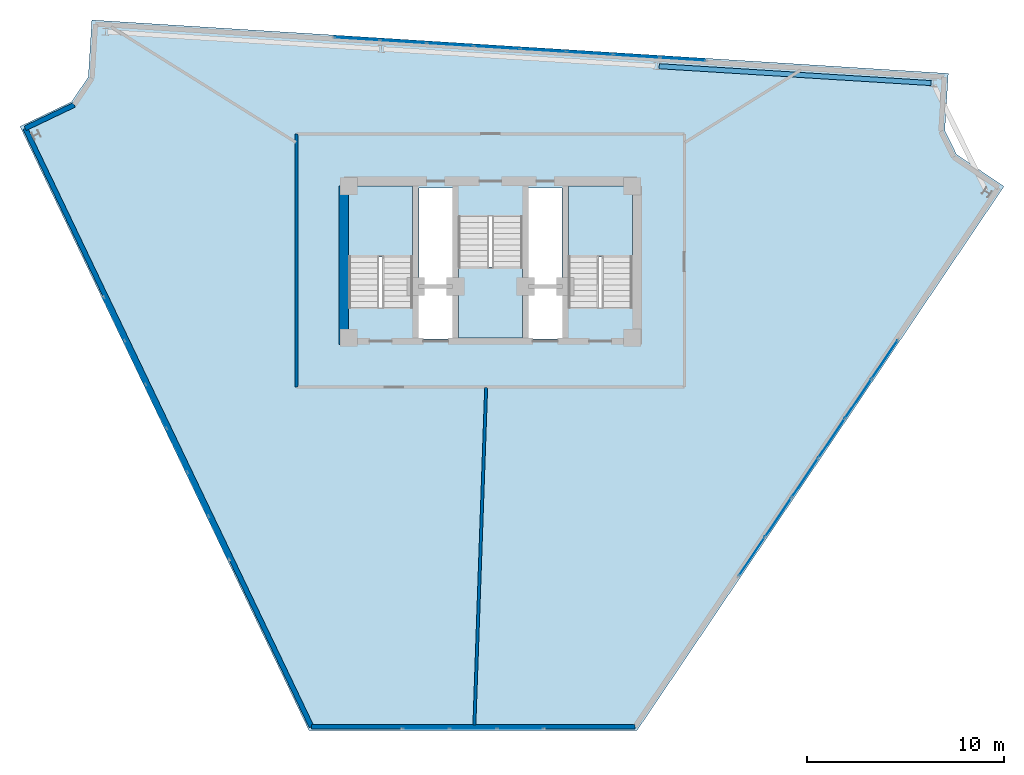
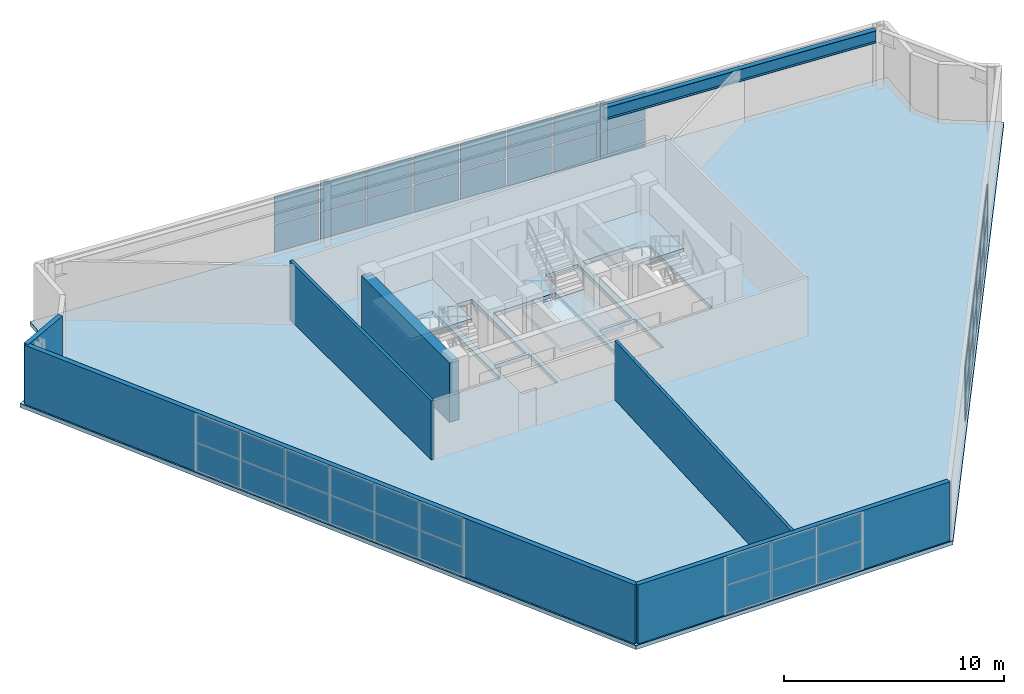
# One storey, part 6 of 8: 46 plates, 6 walls, 4 slabs, 1 beam, 7 elements without a shape of their own.
"""IFC4 building model written with IfcOpenShell, lengths in metres."""

from ifc_helpers import new_model, si_unit, direction, frame, frame_2d, origin, origin_2d, place, context, subcontext, project, spatial, polyline, rectangle, i_section, outline, extrude, material, layer, layer_set, material_profile, profile_set, type_object, element, aggregate, save


model = new_model("IFC4")

# Units and contexts
model_context = context("Model", 3, precision=1e-05, world=origin(), true_north=direction((0.0, 1.0)))
body_context = subcontext(model_context, "Body", "Model", "MODEL_VIEW")
ifc_project = project(units=[si_unit("LENGTHUNIT", "METRE"), si_unit("AREAUNIT", "SQUARE_METRE"), si_unit("VOLUMEUNIT", "CUBIC_METRE"), si_unit("PLANEANGLEUNIT", "RADIAN"), si_unit("MASSUNIT", "GRAM", prefix="KILO")], contexts=[model_context])

# Site, building, storey
site_placement = place(None, origin())
site = spatial("IfcSite", under=ifc_project, at=site_placement, CompositionType="ELEMENT")
building_placement = place(site_placement, origin())
building = spatial("IfcBuilding", under=site, at=building_placement, Name="Apsidion Concourse Tower", CompositionType="ELEMENT")
storey_placement = place(building_placement, frame((0.0, 0.0, 336.0)))
storey = spatial("IfcBuildingStorey", under=building, at=storey_placement, Name="L79", CompositionType="ELEMENT", Elevation=336.0)

# Beam
ifc_material_1 = material(Name="Structural steel ASTM A992 Grade 50", Category="steel")
ifc_material_profile = material_profile(ifc_material_1, i_section(OverallWidth=0.256103515625, OverallDepth=0.693115234375, WebThickness=0.014404296875, FlangeThickness=0.023681640625, at=origin_2d()), Name="W27X114")
ifc_profile_set = profile_set([ifc_material_profile], Name="Structural steel ASTM A992 Grade 50")
beam_type = type_object("IfcBeamType", Name="BM-SP-W27", PredefinedType="SPANDREL", material=ifc_profile_set)
beam_placement = place(storey_placement, frame((22.377197265625, 14.384765625, 2.93359375), z_axis=(-0.998077561187, 0.06197726886, 0.0), x_axis=(-0.06197726886, -0.998077561187, 0.0)))
element("IfcBeam", 1, at=beam_placement, inside=storey, type_object=beam_type, Name="L79 Crown Perimeter Spandrel Beam CSP-03", PredefinedType="SPANDREL", context=body_context, shape_type="SweptSolid", body=[
    extrude(i_section(OverallWidth=0.256103515625, OverallDepth=0.693115234375, WebThickness=0.014404296875, FlangeThickness=0.023681640625, at=origin_2d()), origin(), (0.0, 0.0, 1.0), 13.83447265625),
])

# Curtain wall, plates
ifc_material_2 = material(Name="Insulated laminated low-E glass", Category="glass")
ifc_layer_1 = layer(ifc_material_2, 0.239990234375)
ifc_layer_set_1 = layer_set([ifc_layer_1], Name="Insulated laminated low-E glass")
curtain_wall_type = type_object("IfcCurtainWallType", Name="CW-SYS-06", PredefinedType="NOTDEFINED", material=ifc_layer_set_1)
curtain_wall_1_placement = place(storey_placement, origin())
curtain_wall_1 = element("IfcCurtainWall", 2, at=curtain_wall_1_placement, inside=storey, type_object=curtain_wall_type, Name="L79 Slanted Crown Curtain Wall 4", PredefinedType="NOTDEFINED")
ifc_layer_2 = layer(ifc_material_2, 0.0400390625)
ifc_layer_set_2 = layer_set([ifc_layer_2], Name="Insulated laminated low-E glass")
plate_type = type_object("IfcPlateType", Name="CWP-GLZ-40", PredefinedType="CURTAIN_PANEL", material=ifc_layer_set_2)
plate_1_placement = place(storey_placement, frame((-6.7822265625, 16.6435546875, 0.06494140625), z_axis=(0.0, 0.0, 1.0), x_axis=(0.998060925381, -0.062244591953, 0.0)))
plate_1 = element("IfcPlate", 3, at=plate_1_placement, type_object=plate_type, Name="CW-06 panel 1.1", PredefinedType="CURTAIN_PANEL", context=body_context, shape_type="SweptSolid", body=[
    extrude(rectangle(XDim=2.27734375, YDim=0.0400390625, at=origin_2d()), origin(), (0.0, 0.0, 1.0), 1.517578125),
])
plate_2_placement = place(storey_placement, frame((-6.7822265625, 16.6435546875, 1.6474609375), z_axis=(0.0, 0.0, 1.0), x_axis=(0.998060925381, -0.062244591953, 0.0)))
plate_2 = element("IfcPlate", 4, at=plate_2_placement, type_object=plate_type, Name="CW-06 panel 1.2", PredefinedType="CURTAIN_PANEL", context=body_context, shape_type="SweptSolid", body=[
    extrude(rectangle(XDim=2.27734375, YDim=0.0400390625, at=origin_2d()), origin(), (0.0, 0.0, 1.0), 1.517578125),
])
plate_3_placement = place(storey_placement, frame((-4.42822265625, 16.496826171875, 0.06494140625), z_axis=(0.0, 0.0, 1.0), x_axis=(0.998060925381, -0.062244591953, 0.0)))
plate_3 = element("IfcPlate", 5, at=plate_3_placement, type_object=plate_type, Name="CW-06 panel 2.1", PredefinedType="CURTAIN_PANEL", context=body_context, shape_type="SweptSolid", body=[
    extrude(rectangle(XDim=2.309814453125, YDim=0.0400390625, at=origin_2d()), origin(), (0.0, 0.0, 1.0), 1.517578125),
])
plate_4_placement = place(storey_placement, frame((-4.42822265625, 16.496826171875, 1.6474609375), z_axis=(0.0, 0.0, 1.0), x_axis=(0.998060925381, -0.062244591953, 0.0)))
plate_4 = element("IfcPlate", 6, at=plate_4_placement, type_object=plate_type, Name="CW-06 panel 2.2", PredefinedType="CURTAIN_PANEL", context=body_context, shape_type="SweptSolid", body=[
    extrude(rectangle(XDim=2.309814453125, YDim=0.0400390625, at=origin_2d()), origin(), (0.0, 0.0, 1.0), 1.517578125),
])
plate_5_placement = place(storey_placement, frame((-2.057861328125, 16.34912109375, 0.06494140625), z_axis=(0.0, 0.0, 1.0), x_axis=(0.998060925381, -0.062244591953, 0.0)))
plate_5 = element("IfcPlate", 7, at=plate_5_placement, type_object=plate_type, Name="CW-06 panel 3.1", PredefinedType="CURTAIN_PANEL", context=body_context, shape_type="SweptSolid", body=[
    extrude(rectangle(XDim=2.309814453125, YDim=0.0400390625, at=origin_2d()), origin(), (0.0, 0.0, 1.0), 1.517578125),
])
plate_6_placement = place(storey_placement, frame((-2.057861328125, 16.34912109375, 1.6474609375), z_axis=(0.0, 0.0, 1.0), x_axis=(0.998060925381, -0.062244591953, 0.0)))
plate_6 = element("IfcPlate", 8, at=plate_6_placement, type_object=plate_type, Name="CW-06 panel 3.2", PredefinedType="CURTAIN_PANEL", context=body_context, shape_type="SweptSolid", body=[
    extrude(rectangle(XDim=2.309814453125, YDim=0.0400390625, at=origin_2d()), origin(), (0.0, 0.0, 1.0), 1.517578125),
])
plate_7_placement = place(storey_placement, frame((0.312255859375, 16.201171875, 0.06494140625), z_axis=(0.0, 0.0, 1.0), x_axis=(0.998060925381, -0.062244591953, 0.0)))
plate_7 = element("IfcPlate", 9, at=plate_7_placement, type_object=plate_type, Name="CW-06 panel 4.1", PredefinedType="CURTAIN_PANEL", context=body_context, shape_type="SweptSolid", body=[
    extrude(rectangle(XDim=2.309814453125, YDim=0.0400390625, at=origin_2d()), origin(), (0.0, 0.0, 1.0), 1.517578125),
])
plate_8_placement = place(storey_placement, frame((0.312255859375, 16.201171875, 1.6474609375), z_axis=(0.0, 0.0, 1.0), x_axis=(0.998060925381, -0.062244591953, 0.0)))
plate_8 = element("IfcPlate", 10, at=plate_8_placement, type_object=plate_type, Name="CW-06 panel 4.2", PredefinedType="CURTAIN_PANEL", context=body_context, shape_type="SweptSolid", body=[
    extrude(rectangle(XDim=2.309814453125, YDim=0.0400390625, at=origin_2d()), origin(), (0.0, 0.0, 1.0), 1.517578125),
])
plate_9_placement = place(storey_placement, frame((2.6826171875, 16.053466796875, 0.06494140625), z_axis=(0.0, 0.0, 1.0), x_axis=(0.998060925381, -0.062244591953, 0.0)))
plate_9 = element("IfcPlate", 11, at=plate_9_placement, type_object=plate_type, Name="CW-06 panel 5.1", PredefinedType="CURTAIN_PANEL", context=body_context, shape_type="SweptSolid", body=[
    extrude(rectangle(XDim=2.309814453125, YDim=0.0400390625, at=origin_2d()), origin(), (0.0, 0.0, 1.0), 1.517578125),
])
plate_10_placement = place(storey_placement, frame((2.6826171875, 16.053466796875, 1.6474609375), z_axis=(0.0, 0.0, 1.0), x_axis=(0.998060925381, -0.062244591953, 0.0)))
plate_10 = element("IfcPlate", 12, at=plate_10_placement, type_object=plate_type, Name="CW-06 panel 5.2", PredefinedType="CURTAIN_PANEL", context=body_context, shape_type="SweptSolid", body=[
    extrude(rectangle(XDim=2.309814453125, YDim=0.0400390625, at=origin_2d()), origin(), (0.0, 0.0, 1.0), 1.517578125),
])
plate_11_placement = place(storey_placement, frame((5.052978515625, 15.905517578125, 0.06494140625), z_axis=(0.0, 0.0, 1.0), x_axis=(0.998060925381, -0.062244591953, 0.0)))
plate_11 = element("IfcPlate", 13, at=plate_11_placement, type_object=plate_type, Name="CW-06 panel 6.1", PredefinedType="CURTAIN_PANEL", context=body_context, shape_type="SweptSolid", body=[
    extrude(rectangle(XDim=2.309814453125, YDim=0.0400390625, at=origin_2d()), origin(), (0.0, 0.0, 1.0), 1.517578125),
])
plate_12_placement = place(storey_placement, frame((5.052978515625, 15.905517578125, 1.6474609375), z_axis=(0.0, 0.0, 1.0), x_axis=(0.998060925381, -0.062244591953, 0.0)))
plate_12 = element("IfcPlate", 14, at=plate_12_placement, type_object=plate_type, Name="CW-06 panel 6.2", PredefinedType="CURTAIN_PANEL", context=body_context, shape_type="SweptSolid", body=[
    extrude(rectangle(XDim=2.309814453125, YDim=0.0400390625, at=origin_2d()), origin(), (0.0, 0.0, 1.0), 1.517578125),
])
plate_13_placement = place(storey_placement, frame((7.42333984375, 15.7578125, 0.06494140625), z_axis=(0.0, 0.0, 1.0), x_axis=(0.998060925381, -0.062244591953, 0.0)))
plate_13 = element("IfcPlate", 15, at=plate_13_placement, type_object=plate_type, Name="CW-06 panel 7.1", PredefinedType="CURTAIN_PANEL", context=body_context, shape_type="SweptSolid", body=[
    extrude(rectangle(XDim=2.309814453125, YDim=0.0400390625, at=origin_2d()), origin(), (0.0, 0.0, 1.0), 1.517578125),
])
plate_14_placement = place(storey_placement, frame((7.42333984375, 15.7578125, 1.6474609375), z_axis=(0.0, 0.0, 1.0), x_axis=(0.998060925381, -0.062244591953, 0.0)))
plate_14 = element("IfcPlate", 16, at=plate_14_placement, type_object=plate_type, Name="CW-06 panel 7.2", PredefinedType="CURTAIN_PANEL", context=body_context, shape_type="SweptSolid", body=[
    extrude(rectangle(XDim=2.309814453125, YDim=0.0400390625, at=origin_2d()), origin(), (0.0, 0.0, 1.0), 1.517578125),
])
plate_15_placement = place(storey_placement, frame((9.77734375, 15.61083984375, 0.06494140625), z_axis=(0.0, 0.0, 1.0), x_axis=(0.998060925381, -0.062244591953, 0.0)))
plate_15 = element("IfcPlate", 17, at=plate_15_placement, type_object=plate_type, Name="CW-06 panel 8.1", PredefinedType="CURTAIN_PANEL", context=body_context, shape_type="SweptSolid", body=[
    extrude(rectangle(XDim=2.27734375, YDim=0.0400390625, at=origin_2d()), origin(), (0.0, 0.0, 1.0), 1.517578125),
])
plate_16_placement = place(storey_placement, frame((9.77734375, 15.61083984375, 1.6474609375), z_axis=(0.0, 0.0, 1.0), x_axis=(0.998060925381, -0.062244591953, 0.0)))
plate_16 = element("IfcPlate", 18, at=plate_16_placement, type_object=plate_type, Name="CW-06 panel 8.2", PredefinedType="CURTAIN_PANEL", context=body_context, shape_type="SweptSolid", body=[
    extrude(rectangle(XDim=2.27734375, YDim=0.0400390625, at=origin_2d()), origin(), (0.0, 0.0, 1.0), 1.517578125),
])
aggregate(curtain_wall_1, [plate_1, plate_2, plate_3, plate_4, plate_5, plate_6, plate_7, plate_8, plate_9, plate_10, plate_11, plate_12, plate_13, plate_14, plate_15, plate_16])

curtain_wall_2_placement = place(storey_placement, origin())
curtain_wall_2 = element("IfcCurtainWall", 19, at=curtain_wall_2_placement, inside=storey, type_object=curtain_wall_type, Name="L79 Slanted Crown Curtain Wall 8", PredefinedType="NOTDEFINED")
plate_17_placement = place(storey_placement, frame((20.020751953125, 0.344970703125, 0.06494140625), z_axis=(0.0, 0.0, 1.0), x_axis=(-0.559192153172, -0.829038078637, 0.0)))
plate_17 = element("IfcPlate", 20, at=plate_17_placement, type_object=plate_type, Name="CW-06 panel 1.1", PredefinedType="CURTAIN_PANEL", context=body_context, shape_type="SweptSolid", body=[
    extrude(rectangle(XDim=2.32470703125, YDim=0.0400390625, at=origin_2d()), origin(), (0.0, 0.0, 1.0), 1.517578125),
])
plate_18_placement = place(storey_placement, frame((20.020751953125, 0.344970703125, 1.6474609375), z_axis=(0.0, 0.0, 1.0), x_axis=(-0.559192153172, -0.829038078637, 0.0)))
plate_18 = element("IfcPlate", 21, at=plate_18_placement, type_object=plate_type, Name="CW-06 panel 1.2", PredefinedType="CURTAIN_PANEL", context=body_context, shape_type="SweptSolid", body=[
    extrude(rectangle(XDim=2.32470703125, YDim=0.0400390625, at=origin_2d()), origin(), (0.0, 0.0, 1.0), 1.517578125),
])
plate_19_placement = place(storey_placement, frame((18.67529296875, -1.6494140625, 0.06494140625), z_axis=(0.0, 0.0, 1.0), x_axis=(-0.559192153172, -0.829038078637, 0.0)))
plate_19 = element("IfcPlate", 22, at=plate_19_placement, type_object=plate_type, Name="CW-06 panel 2.1", PredefinedType="CURTAIN_PANEL", context=body_context, shape_type="SweptSolid", body=[
    extrude(rectangle(XDim=2.357177734375, YDim=0.0400390625, at=origin_2d()), origin(), (0.0, 0.0, 1.0), 1.517578125),
])
plate_20_placement = place(storey_placement, frame((18.67529296875, -1.6494140625, 1.6474609375), z_axis=(0.0, 0.0, 1.0), x_axis=(-0.559192153172, -0.829038078637, 0.0)))
plate_20 = element("IfcPlate", 23, at=plate_20_placement, type_object=plate_type, Name="CW-06 panel 2.2", PredefinedType="CURTAIN_PANEL", context=body_context, shape_type="SweptSolid", body=[
    extrude(rectangle(XDim=2.357177734375, YDim=0.0400390625, at=origin_2d()), origin(), (0.0, 0.0, 1.0), 1.517578125),
])
plate_21_placement = place(storey_placement, frame((17.321044921875, -3.65771484375, 0.06494140625), z_axis=(0.0, 0.0, 1.0), x_axis=(-0.559192153172, -0.829038078637, 0.0)))
plate_21 = element("IfcPlate", 24, at=plate_21_placement, type_object=plate_type, Name="CW-06 panel 3.1", PredefinedType="CURTAIN_PANEL", context=body_context, shape_type="SweptSolid", body=[
    extrude(rectangle(XDim=2.357177734375, YDim=0.0400390625, at=origin_2d()), origin(), (0.0, 0.0, 1.0), 1.517578125),
])
plate_22_placement = place(storey_placement, frame((17.321044921875, -3.65771484375, 1.6474609375), z_axis=(0.0, 0.0, 1.0), x_axis=(-0.559192153172, -0.829038078637, 0.0)))
plate_22 = element("IfcPlate", 25, at=plate_22_placement, type_object=plate_type, Name="CW-06 panel 3.2", PredefinedType="CURTAIN_PANEL", context=body_context, shape_type="SweptSolid", body=[
    extrude(rectangle(XDim=2.357177734375, YDim=0.0400390625, at=origin_2d()), origin(), (0.0, 0.0, 1.0), 1.517578125),
])
plate_23_placement = place(storey_placement, frame((15.966552734375, -5.665771484375, 0.06494140625), z_axis=(0.0, 0.0, 1.0), x_axis=(-0.559192153172, -0.829038078637, 0.0)))
plate_23 = element("IfcPlate", 26, at=plate_23_placement, type_object=plate_type, Name="CW-06 panel 4.1", PredefinedType="CURTAIN_PANEL", context=body_context, shape_type="SweptSolid", body=[
    extrude(rectangle(XDim=2.357177734375, YDim=0.0400390625, at=origin_2d()), origin(), (0.0, 0.0, 1.0), 1.517578125),
])
plate_24_placement = place(storey_placement, frame((15.966552734375, -5.665771484375, 1.6474609375), z_axis=(0.0, 0.0, 1.0), x_axis=(-0.559192153172, -0.829038078637, 0.0)))
plate_24 = element("IfcPlate", 27, at=plate_24_placement, type_object=plate_type, Name="CW-06 panel 4.2", PredefinedType="CURTAIN_PANEL", context=body_context, shape_type="SweptSolid", body=[
    extrude(rectangle(XDim=2.357177734375, YDim=0.0400390625, at=origin_2d()), origin(), (0.0, 0.0, 1.0), 1.517578125),
])
plate_25_placement = place(storey_placement, frame((14.612060546875, -7.673828125, 0.06494140625), z_axis=(0.0, 0.0, 1.0), x_axis=(-0.559192153172, -0.829038078637, 0.0)))
plate_25 = element("IfcPlate", 28, at=plate_25_placement, type_object=plate_type, Name="CW-06 panel 5.1", PredefinedType="CURTAIN_PANEL", context=body_context, shape_type="SweptSolid", body=[
    extrude(rectangle(XDim=2.357177734375, YDim=0.0400390625, at=origin_2d()), origin(), (0.0, 0.0, 1.0), 1.517578125),
])
plate_26_placement = place(storey_placement, frame((14.612060546875, -7.673828125, 1.6474609375), z_axis=(0.0, 0.0, 1.0), x_axis=(-0.559192153172, -0.829038078637, 0.0)))
plate_26 = element("IfcPlate", 29, at=plate_26_placement, type_object=plate_type, Name="CW-06 panel 5.2", PredefinedType="CURTAIN_PANEL", context=body_context, shape_type="SweptSolid", body=[
    extrude(rectangle(XDim=2.357177734375, YDim=0.0400390625, at=origin_2d()), origin(), (0.0, 0.0, 1.0), 1.517578125),
])
plate_27_placement = place(storey_placement, frame((13.2666015625, -9.66845703125, 0.06494140625), z_axis=(0.0, 0.0, 1.0), x_axis=(-0.559192153172, -0.829038078637, 0.0)))
plate_27 = element("IfcPlate", 30, at=plate_27_placement, type_object=plate_type, Name="CW-06 panel 6.1", PredefinedType="CURTAIN_PANEL", context=body_context, shape_type="SweptSolid", body=[
    extrude(rectangle(XDim=2.32470703125, YDim=0.0400390625, at=origin_2d()), origin(), (0.0, 0.0, 1.0), 1.517578125),
])
plate_28_placement = place(storey_placement, frame((13.2666015625, -9.66845703125, 1.6474609375), z_axis=(0.0, 0.0, 1.0), x_axis=(-0.559192153172, -0.829038078637, 0.0)))
plate_28 = element("IfcPlate", 31, at=plate_28_placement, type_object=plate_type, Name="CW-06 panel 6.2", PredefinedType="CURTAIN_PANEL", context=body_context, shape_type="SweptSolid", body=[
    extrude(rectangle(XDim=2.32470703125, YDim=0.0400390625, at=origin_2d()), origin(), (0.0, 0.0, 1.0), 1.517578125),
])
aggregate(curtain_wall_2, [plate_17, plate_18, plate_19, plate_20, plate_21, plate_22, plate_23, plate_24, plate_25, plate_26, plate_27, plate_28])

curtain_wall_3_placement = place(storey_placement, origin())
curtain_wall_3 = element("IfcCurtainWall", 32, at=curtain_wall_3_placement, inside=storey, type_object=curtain_wall_type, Name="L79 Slanted Crown Curtain Wall 9", PredefinedType="NOTDEFINED")
plate_29_placement = place(storey_placement, frame((1.513427734375, -18.39501953125, 0.06494140625), z_axis=(0.0, 0.0, 1.0), x_axis=(-1.0, 0.0, 0.0)))
plate_29 = element("IfcPlate", 33, at=plate_29_placement, type_object=plate_type, Name="CW-06 panel 1.1", PredefinedType="CURTAIN_PANEL", context=body_context, shape_type="SweptSolid", body=[
    extrude(rectangle(XDim=2.31005859375, YDim=0.0400390625, at=origin_2d()), origin(), (0.0, 0.0, 1.0), 1.517578125),
])
plate_30_placement = place(storey_placement, frame((1.513427734375, -18.39501953125, 1.6474609375), z_axis=(0.0, 0.0, 1.0), x_axis=(-1.0, 0.0, 0.0)))
plate_30 = element("IfcPlate", 34, at=plate_30_placement, type_object=plate_type, Name="CW-06 panel 1.2", PredefinedType="CURTAIN_PANEL", context=body_context, shape_type="SweptSolid", body=[
    extrude(rectangle(XDim=2.31005859375, YDim=0.0400390625, at=origin_2d()), origin(), (0.0, 0.0, 1.0), 1.517578125),
])
plate_31_placement = place(storey_placement, frame((-0.8779296875, -18.39501953125, 0.06494140625), z_axis=(0.0, 0.0, 1.0), x_axis=(-1.0, 0.0, 0.0)))
plate_31 = element("IfcPlate", 35, at=plate_31_placement, type_object=plate_type, Name="CW-06 panel 2.1", PredefinedType="CURTAIN_PANEL", context=body_context, shape_type="SweptSolid", body=[
    extrude(rectangle(XDim=2.3427734375, YDim=0.0400390625, at=origin_2d()), origin(), (0.0, 0.0, 1.0), 1.517578125),
])
plate_32_placement = place(storey_placement, frame((-0.8779296875, -18.39501953125, 1.6474609375), z_axis=(0.0, 0.0, 1.0), x_axis=(-1.0, 0.0, 0.0)))
plate_32 = element("IfcPlate", 36, at=plate_32_placement, type_object=plate_type, Name="CW-06 panel 2.2", PredefinedType="CURTAIN_PANEL", context=body_context, shape_type="SweptSolid", body=[
    extrude(rectangle(XDim=2.3427734375, YDim=0.0400390625, at=origin_2d()), origin(), (0.0, 0.0, 1.0), 1.517578125),
])
plate_33_placement = place(storey_placement, frame((-3.26953125, -18.39501953125, 0.06494140625), z_axis=(0.0, 0.0, 1.0), x_axis=(-1.0, 0.0, 0.0)))
plate_33 = element("IfcPlate", 37, at=plate_33_placement, type_object=plate_type, Name="CW-06 panel 3.1", PredefinedType="CURTAIN_PANEL", context=body_context, shape_type="SweptSolid", body=[
    extrude(rectangle(XDim=2.31005859375, YDim=0.0400390625, at=origin_2d()), origin(), (0.0, 0.0, 1.0), 1.517578125),
])
plate_34_placement = place(storey_placement, frame((-3.26953125, -18.39501953125, 1.6474609375), z_axis=(0.0, 0.0, 1.0), x_axis=(-1.0, 0.0, 0.0)))
plate_34 = element("IfcPlate", 38, at=plate_34_placement, type_object=plate_type, Name="CW-06 panel 3.2", PredefinedType="CURTAIN_PANEL", context=body_context, shape_type="SweptSolid", body=[
    extrude(rectangle(XDim=2.31005859375, YDim=0.0400390625, at=origin_2d()), origin(), (0.0, 0.0, 1.0), 1.517578125),
])
aggregate(curtain_wall_3, [plate_29, plate_30, plate_31, plate_32, plate_33, plate_34])

curtain_wall_4_placement = place(storey_placement, origin())
curtain_wall_4 = element("IfcCurtainWall", 39, at=curtain_wall_4_placement, inside=storey, type_object=curtain_wall_type, Name="L79 Slanted Crown Curtain Wall 10", PredefinedType="NOTDEFINED")
plate_35_placement = place(storey_placement, frame((-13.782470703125, -8.703857421875, 0.06494140625), z_axis=(0.0, 0.0, 1.0), x_axis=(-0.431595868036, 0.902067074387, 0.0)))
plate_35 = element("IfcPlate", 40, at=plate_35_placement, type_object=plate_type, Name="CW-06 panel 1.1", PredefinedType="CURTAIN_PANEL", context=body_context, shape_type="SweptSolid", body=[
    extrude(rectangle(XDim=2.372802734375, YDim=0.0400390625, at=origin_2d()), origin(), (0.0, 0.0, 1.0), 1.517578125),
])
plate_36_placement = place(storey_placement, frame((-13.782470703125, -8.703857421875, 1.6474609375), z_axis=(0.0, 0.0, 1.0), x_axis=(-0.431595868036, 0.902067074387, 0.0)))
plate_36 = element("IfcPlate", 41, at=plate_36_placement, type_object=plate_type, Name="CW-06 panel 1.2", PredefinedType="CURTAIN_PANEL", context=body_context, shape_type="SweptSolid", body=[
    extrude(rectangle(XDim=2.372802734375, YDim=0.0400390625, at=origin_2d()), origin(), (0.0, 0.0, 1.0), 1.517578125),
])
plate_37_placement = place(storey_placement, frame((-14.841552734375, -6.490234375, 0.06494140625), z_axis=(0.0, 0.0, 1.0), x_axis=(-0.431595868036, 0.902067074387, 0.0)))
plate_37 = element("IfcPlate", 42, at=plate_37_placement, type_object=plate_type, Name="CW-06 panel 2.1", PredefinedType="CURTAIN_PANEL", context=body_context, shape_type="SweptSolid", body=[
    extrude(rectangle(XDim=2.4052734375, YDim=0.0400390625, at=origin_2d()), origin(), (0.0, 0.0, 1.0), 1.517578125),
])
plate_38_placement = place(storey_placement, frame((-14.841552734375, -6.490234375, 1.6474609375), z_axis=(0.0, 0.0, 1.0), x_axis=(-0.431595868036, 0.902067074387, 0.0)))
plate_38 = element("IfcPlate", 43, at=plate_38_placement, type_object=plate_type, Name="CW-06 panel 2.2", PredefinedType="CURTAIN_PANEL", context=body_context, shape_type="SweptSolid", body=[
    extrude(rectangle(XDim=2.4052734375, YDim=0.0400390625, at=origin_2d()), origin(), (0.0, 0.0, 1.0), 1.517578125),
])
plate_39_placement = place(storey_placement, frame((-15.90771484375, -4.26171875, 0.06494140625), z_axis=(0.0, 0.0, 1.0), x_axis=(-0.431595868036, 0.902067074387, 0.0)))
plate_39 = element("IfcPlate", 44, at=plate_39_placement, type_object=plate_type, Name="CW-06 panel 3.1", PredefinedType="CURTAIN_PANEL", context=body_context, shape_type="SweptSolid", body=[
    extrude(rectangle(XDim=2.4052734375, YDim=0.0400390625, at=origin_2d()), origin(), (0.0, 0.0, 1.0), 1.517578125),
])
plate_40_placement = place(storey_placement, frame((-15.90771484375, -4.26171875, 1.6474609375), z_axis=(0.0, 0.0, 1.0), x_axis=(-0.431595868036, 0.902067074387, 0.0)))
plate_40 = element("IfcPlate", 45, at=plate_40_placement, type_object=plate_type, Name="CW-06 panel 3.2", PredefinedType="CURTAIN_PANEL", context=body_context, shape_type="SweptSolid", body=[
    extrude(rectangle(XDim=2.4052734375, YDim=0.0400390625, at=origin_2d()), origin(), (0.0, 0.0, 1.0), 1.517578125),
])
plate_41_placement = place(storey_placement, frame((-16.973876953125, -2.033447265625, 0.06494140625), z_axis=(0.0, 0.0, 1.0), x_axis=(-0.431595868036, 0.902067074387, 0.0)))
plate_41 = element("IfcPlate", 46, at=plate_41_placement, type_object=plate_type, Name="CW-06 panel 4.1", PredefinedType="CURTAIN_PANEL", context=body_context, shape_type="SweptSolid", body=[
    extrude(rectangle(XDim=2.4052734375, YDim=0.0400390625, at=origin_2d()), origin(), (0.0, 0.0, 1.0), 1.517578125),
])
plate_42_placement = place(storey_placement, frame((-16.973876953125, -2.033447265625, 1.6474609375), z_axis=(0.0, 0.0, 1.0), x_axis=(-0.431595868036, 0.902067074387, 0.0)))
plate_42 = element("IfcPlate", 47, at=plate_42_placement, type_object=plate_type, Name="CW-06 panel 4.2", PredefinedType="CURTAIN_PANEL", context=body_context, shape_type="SweptSolid", body=[
    extrude(rectangle(XDim=2.4052734375, YDim=0.0400390625, at=origin_2d()), origin(), (0.0, 0.0, 1.0), 1.517578125),
])
plate_43_placement = place(storey_placement, frame((-18.0400390625, 0.195068359375, 0.06494140625), z_axis=(0.0, 0.0, 1.0), x_axis=(-0.431595868036, 0.902067074387, 0.0)))
plate_43 = element("IfcPlate", 48, at=plate_43_placement, type_object=plate_type, Name="CW-06 panel 5.1", PredefinedType="CURTAIN_PANEL", context=body_context, shape_type="SweptSolid", body=[
    extrude(rectangle(XDim=2.4052734375, YDim=0.0400390625, at=origin_2d()), origin(), (0.0, 0.0, 1.0), 1.517578125),
])
plate_44_placement = place(storey_placement, frame((-18.0400390625, 0.195068359375, 1.6474609375), z_axis=(0.0, 0.0, 1.0), x_axis=(-0.431595868036, 0.902067074387, 0.0)))
plate_44 = element("IfcPlate", 49, at=plate_44_placement, type_object=plate_type, Name="CW-06 panel 5.2", PredefinedType="CURTAIN_PANEL", context=body_context, shape_type="SweptSolid", body=[
    extrude(rectangle(XDim=2.4052734375, YDim=0.0400390625, at=origin_2d()), origin(), (0.0, 0.0, 1.0), 1.517578125),
])
plate_45_placement = place(storey_placement, frame((-19.099365234375, 2.40869140625, 0.06494140625), z_axis=(0.0, 0.0, 1.0), x_axis=(-0.431595868036, 0.902067074387, 0.0)))
plate_45 = element("IfcPlate", 50, at=plate_45_placement, type_object=plate_type, Name="CW-06 panel 6.1", PredefinedType="CURTAIN_PANEL", context=body_context, shape_type="SweptSolid", body=[
    extrude(rectangle(XDim=2.372802734375, YDim=0.0400390625, at=origin_2d()), origin(), (0.0, 0.0, 1.0), 1.517578125),
])
plate_46_placement = place(storey_placement, frame((-19.099365234375, 2.40869140625, 1.6474609375), z_axis=(0.0, 0.0, 1.0), x_axis=(-0.431595868036, 0.902067074387, 0.0)))
plate_46 = element("IfcPlate", 51, at=plate_46_placement, type_object=plate_type, Name="CW-06 panel 6.2", PredefinedType="CURTAIN_PANEL", context=body_context, shape_type="SweptSolid", body=[
    extrude(rectangle(XDim=2.372802734375, YDim=0.0400390625, at=origin_2d()), origin(), (0.0, 0.0, 1.0), 1.517578125),
])
aggregate(curtain_wall_4, [plate_35, plate_36, plate_37, plate_38, plate_39, plate_40, plate_41, plate_42, plate_43, plate_44, plate_45, plate_46])

# Slab
ifc_material_3 = material(Name="Concrete C50/60", Category="concrete")
ifc_layer_3 = layer(ifc_material_3, 0.219970703125)
ifc_layer_set_3 = layer_set([ifc_layer_3], Name="Concrete C50/60")
slab_type_1 = type_object("IfcSlabType", Name="SL-FLR-220", PredefinedType="FLOOR", material=ifc_layer_set_3)
slab_1_placement = place(storey_placement, frame((0.0, 0.0, -0.219970703125)))
element("IfcSlab", 52, at=slab_1_placement, inside=storey, type_object=slab_type_1, Name="L79 Structural Floor Slab", PredefinedType="FLOOR", context=body_context, shape_type="SweptSolid", body=[
    extrude(outline(polyline([(-23.89111328125, 12.180908203125), (-21.27001953125, 13.43505859375), (-20.424560546875, 14.688232421875), (-20.24365234375, 17.58837890625), (23.251708984375, 14.875732421875), (23.07080078125, 11.9755859375), (23.668701171875, 10.76171875), (26.07763671875, 9.136962890625), (7.436279296875, -18.5), (-9.2119140625, -18.5), (-23.89111328125, 12.180908203125)]), holes=[polyline([(-3.949951171875, 3.0), (-3.949951171875, 9.14990234375), (-7.199951171875, 9.14990234375), (-7.199951171875, 3.0), (-3.949951171875, 3.0)]), polyline([(7.199951171875, 3.0), (7.199951171875, 9.14990234375), (3.949951171875, 9.14990234375), (3.949951171875, 3.0), (7.199951171875, 3.0)]), polyline([(-1.625, 7.60009765625), (-1.625, 1.449951171875), (1.625, 1.449951171875), (1.625, 7.60009765625), (-1.625, 7.60009765625)]), polyline([(-3.7099609375, 1.39990234375), (-1.85009765625, 1.39990234375), (-1.85009765625, 4.0), (-3.7099609375, 4.0), (-3.7099609375, 1.39990234375)]), polyline([(1.85009765625, 1.39990234375), (3.7099609375, 1.39990234375), (3.7099609375, 4.0), (1.85009765625, 4.0), (1.85009765625, 1.39990234375)]), polyline([(-3.6201171875, 4.14990234375), (-1.93994140625, 4.14990234375), (-1.93994140625, 9.050048828125), (-3.6201171875, 9.050048828125), (-3.6201171875, 4.14990234375)]), polyline([(1.93994140625, 4.14990234375), (3.6201171875, 4.14990234375), (3.6201171875, 9.050048828125), (1.93994140625, 9.050048828125), (1.93994140625, 4.14990234375)])]), origin(), (0.0, 0.0, 1.0), 0.219970703125),
])

# Stair, slab
ifc_material_4 = material(Name="Precast concrete C40/50", Category="concrete")
stair_type = type_object("IfcStairType", Name="ST-DL-1550", PredefinedType="HALF_TURN_STAIR", material=ifc_material_4)
stair_1_placement = place(storey_placement, origin())
stair_1 = element("IfcStair", 53, at=stair_1_placement, inside=storey, type_object=stair_type, Name="L79 Protected Core Exit Stair ST1", PredefinedType="HALF_TURN_STAIR")
ifc_layer_4 = layer(ifc_material_3, 0.199951171875)
ifc_layer_set_4 = layer_set([ifc_layer_4], Name="Concrete C50/60")
slab_type_2 = type_object("IfcSlabType", Name="SL-ST-LAND-200", PredefinedType="LANDING", material=ifc_layer_set_4)
slab_2_placement = place(storey_placement, frame((0.0, 0.0, 1.550048828125)))
slab_2 = element("IfcSlab", 54, at=slab_2_placement, type_object=slab_type_2, Name="ST1 landing 1", PredefinedType="LANDING", context=body_context, shape_type="SweptSolid", body=[
    extrude(outline(polyline([(-3.949951171875, 5.56494140625), (-3.949951171875, 9.14990234375), (-7.199951171875, 9.14990234375), (-7.199951171875, 5.56494140625), (-3.949951171875, 5.56494140625)])), origin(), (0.0, 0.0, 1.0), 0.199951171875),
])
aggregate(stair_1, [slab_2])

stair_2_placement = place(storey_placement, origin())
stair_2 = element("IfcStair", 55, at=stair_2_placement, inside=storey, type_object=stair_type, Name="L79 Protected Core Exit Stair ST2", PredefinedType="HALF_TURN_STAIR")
slab_3_placement = place(storey_placement, frame((0.0, 0.0, 1.550048828125)))
slab_3 = element("IfcSlab", 56, at=slab_3_placement, type_object=slab_type_2, Name="ST2 landing 1", PredefinedType="LANDING", context=body_context, shape_type="SweptSolid", body=[
    extrude(outline(polyline([(7.199951171875, 5.56494140625), (7.199951171875, 9.14990234375), (3.949951171875, 9.14990234375), (3.949951171875, 5.56494140625), (7.199951171875, 5.56494140625)])), origin(), (0.0, 0.0, 1.0), 0.199951171875),
])
aggregate(stair_2, [slab_3])

stair_3_placement = place(storey_placement, origin())
stair_3 = element("IfcStair", 57, at=stair_3_placement, inside=storey, type_object=stair_type, Name="L79 Protected Core Exit Stair ST3", PredefinedType="HALF_TURN_STAIR")
slab_4_placement = place(storey_placement, frame((0.0, 0.0, 1.550048828125)))
slab_4 = element("IfcSlab", 58, at=slab_4_placement, type_object=slab_type_2, Name="ST3 landing 1", PredefinedType="LANDING", context=body_context, shape_type="SweptSolid", body=[
    extrude(outline(polyline([(-1.625, 5.034912109375), (-1.625, 1.449951171875), (1.625, 1.449951171875), (1.625, 5.034912109375), (-1.625, 5.034912109375)])), origin(), (0.0, 0.0, 1.0), 0.199951171875),
])
aggregate(stair_3, [slab_4])

# Walls
ifc_layer_5 = layer(ifc_material_4, 0.25)
ifc_layer_set_5 = layer_set([ifc_layer_5], Name="Precast concrete C40/50")
wall_type_1 = type_object("IfcWallType", Name="WL-EXT-250", PredefinedType="STANDARD", material=ifc_layer_set_5)
wall_1_placement = place(storey_placement, frame((-23.62451171875, 12.0869140625, 0.0), z_axis=(0.0, 0.0, 1.0), x_axis=(0.902092306117, 0.431543127909, 0.0)))
element("IfcWall", 59, at=wall_1_placement, inside=storey, type_object=wall_type_1, Name="L79 Precast Stone Facade Wall 01", PredefinedType="STANDARD", context=body_context, shape_type="SweptSolid", body=[
    extrude(rectangle(XDim=2.76025390625, YDim=0.25, at=frame_2d((1.380126953125, 0.0))), origin(), (0.0, 0.0, 1.0), 3.280029296875),
])
wall_2_placement = place(storey_placement, frame((7.329833984375, -18.300048828125, 0.0), z_axis=(0.0, 0.0, 1.0), x_axis=(-1.0, 0.0, 0.0)))
element("IfcWall", 60, at=wall_2_placement, inside=storey, type_object=wall_type_1, Name="L79 Precast Stone Facade Wall 09", PredefinedType="STANDARD", context=body_context, shape_type="SweptSolid", body=[
    extrude(rectangle(XDim=16.415771484375, YDim=0.25, at=frame_2d((8.2080078125, 0.0))), origin(), (0.0, 0.0, 1.0), 3.280029296875),
])
wall_3_placement = place(storey_placement, frame((-9.0859375, -18.300048828125, 0.0), z_axis=(0.0, 0.0, 1.0), x_axis=(-0.431592694358, 0.902068592834, 0.0)))
element("IfcWall", 61, at=wall_3_placement, inside=storey, type_object=wall_type_1, Name="L79 Precast Stone Facade Wall 10", PredefinedType="STANDARD", context=body_context, shape_type="SweptSolid", body=[
    extrude(rectangle(XDim=33.685791015625, YDim=0.25, at=frame_2d((16.8427734375, 0.0))), origin(), (0.0, 0.0, 1.0), 3.280029296875),
])
ifc_material_5 = material(Name="Gypsum plasterboard partition")
ifc_layer_6 = layer(ifc_material_5, 0.14990234375)
ifc_layer_set_6 = layer_set([ifc_layer_6], Name="Gypsum plasterboard partition")
wall_type_2 = type_object("IfcWallType", Name="WL-INT-PAR-150", PredefinedType="PARTITIONING", material=ifc_layer_set_6)
wall_4_placement = place(storey_placement, frame((-9.85009765625, -1.054931640625, 0.0), z_axis=(0.0, 0.0, 1.0), x_axis=(0.0, 1.0, 0.0)))
element("IfcWall", 62, at=wall_4_placement, inside=storey, type_object=wall_type_2, Name="L79 Interior Partition WL-L79-CCR-4", PredefinedType="PARTITIONING", context=body_context, shape_type="SweptSolid", body=[
    extrude(rectangle(XDim=12.85498046875, YDim=0.14990234375, at=frame_2d((6.427490234375, 0.0))), origin(), (0.0, 0.0, 1.0), 3.280029296875),
])
wall_5_placement = place(storey_placement, frame((-0.219482421875, -1.0849609375, 0.0), z_axis=(0.0, 0.0, 1.0), x_axis=(-0.034892631194, -0.999391066744, 0.0)))
element("IfcWall", 63, at=wall_5_placement, inside=storey, type_object=wall_type_2, Name="L79 Interior Partition WL-L79-CRD-3-1", PredefinedType="PARTITIONING", context=body_context, shape_type="SweptSolid", body=[
    extrude(rectangle(XDim=17.135498046875, YDim=0.14990234375, at=frame_2d((8.56787109375, 0.0))), origin(), (0.0, 0.0, 1.0), 3.280029296875),
])
ifc_layer_7 = layer(ifc_material_3, 0.5)
ifc_layer_set_7 = layer_set([ifc_layer_7], Name="Concrete C50/60")
wall_type_3 = type_object("IfcWallType", Name="WL-SH-500", PredefinedType="SHEAR", material=ifc_layer_set_7)
wall_6_placement = place(storey_placement, frame((-7.449951171875, 1.10009765625, 0.0), z_axis=(0.0, 0.0, 1.0), x_axis=(0.0, 1.0, 0.0)))
element("IfcWall", 64, at=wall_6_placement, inside=storey, type_object=wall_type_3, Name="L79 Central Core Shear Wall WN", PredefinedType="SHEAR", context=body_context, shape_type="SweptSolid", body=[
    extrude(rectangle(XDim=8.0498046875, YDim=0.5, at=frame_2d((4.02490234375, 0.0))), origin(), (0.0, 0.0, 1.0), 3.280029296875),
])

save(model, "model.ifc")
